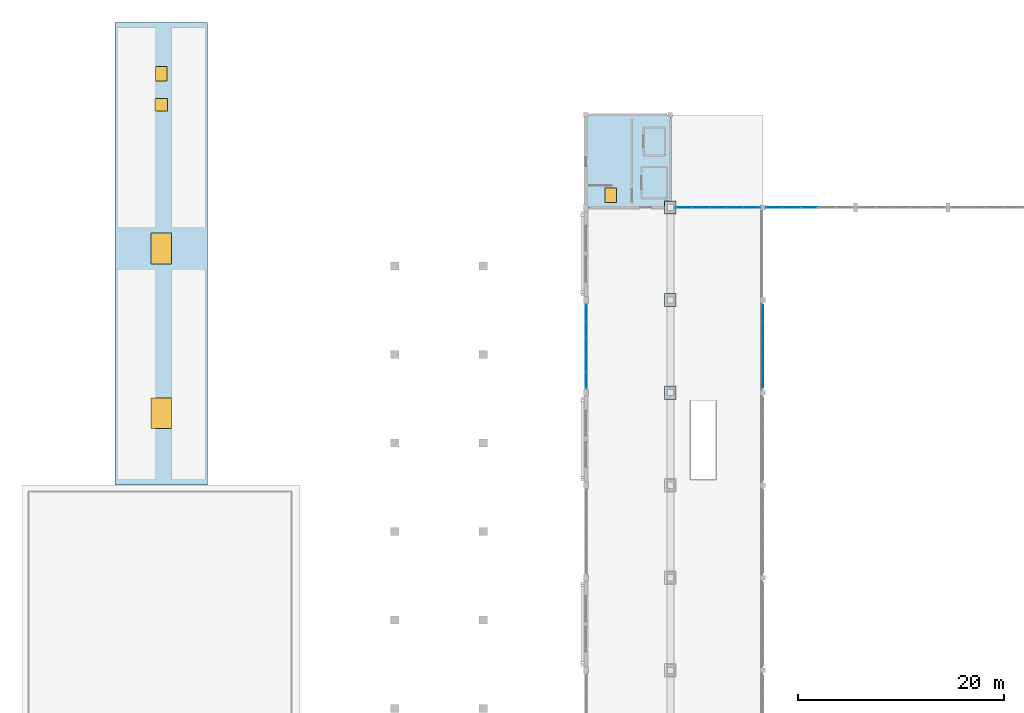
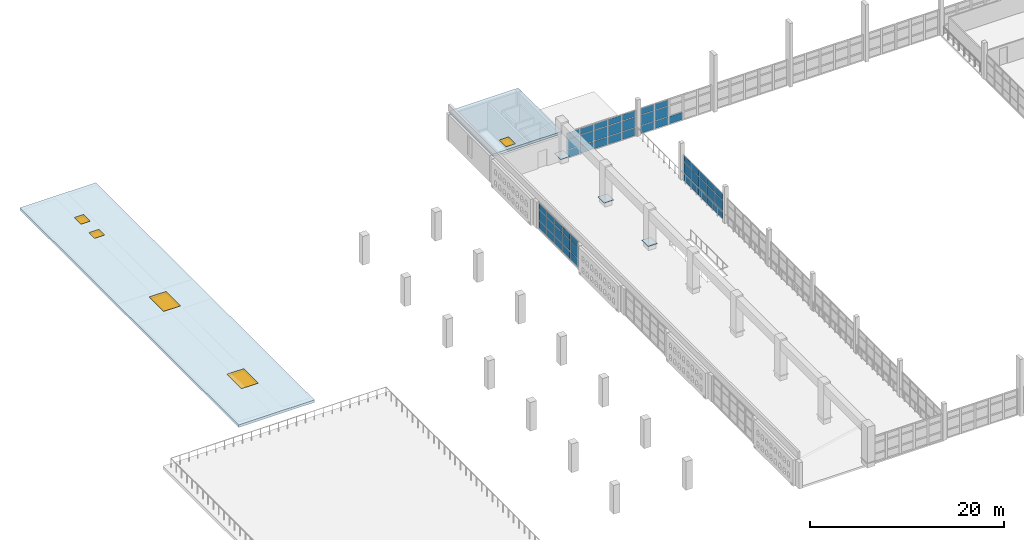
# One storey, part 60 of 80: 55 plates, 3 windows, 2 doors, 2 slabs, 5 openings, 4 elements without a shape of their own.
"""IFC4 building model written with IfcOpenShell, lengths in metres."""

from ifc_helpers import new_model, si_unit, direction, frame, origin, origin_2d, place, context, subcontext, project, spatial, polyline, rectangle, outline, extrude, material, layer, layer_set, type_object, element, fill, aggregate, save


model = new_model("IFC4")

# Units and contexts
model_context = context("Model", 3, precision=1e-05, world=origin(), true_north=direction((0.0, 1.0)))
body_context = subcontext(model_context, "Body", "Model", "MODEL_VIEW")
ifc_project = project(units=[si_unit("LENGTHUNIT", "METRE"), si_unit("AREAUNIT", "SQUARE_METRE"), si_unit("VOLUMEUNIT", "CUBIC_METRE"), si_unit("PLANEANGLEUNIT", "RADIAN"), si_unit("MASSUNIT", "GRAM", prefix="KILO")], contexts=[model_context])

# Site, building, storey
site_placement = place(None, origin())
site = spatial("IfcSite", under=ifc_project, at=site_placement, CompositionType="ELEMENT")
building_placement = place(site_placement, origin())
building = spatial("IfcBuilding", under=site, at=building_placement, Name="Ornek Quay Market", CompositionType="ELEMENT")
storey_placement = place(building_placement, frame((0.0, 0.0, 8.39990234375)))
storey = spatial("IfcBuildingStorey", under=building, at=storey_placement, Name="L02", CompositionType="ELEMENT", Elevation=8.39990234375)

# Plates
ifc_material_1 = material(Name="Steel S355", Category="steel")
ifc_layer_1 = layer(ifc_material_1, 1.300048828125, Name="Steel S355", Category="steel")
ifc_layer_set_1 = layer_set([ifc_layer_1], Name="Steel S355")
plate_type_1 = type_object("IfcPlateType", Name="PL-ARCH-SHOE-1100x1300x50", PredefinedType="SHEET", material=ifc_layer_set_1)
for number, where, z_axis, x_axis, name in (
    (1, (63.0, 74.0, 0.60009765625), (0.0, 0.0, 1.0), (1.0, 0.0, 0.0), "Arch bearing plate Grid J-W"),
    (2, (63.0, 83.0, 0.60009765625), (0.0, 0.0, 1.0), (1.0, 0.0, 0.0), "Arch bearing plate Grid K-W"),
    (3, (63.0, 92.0, 0.60009765625), (0.0, 0.0, 1.0), (1.0, 0.0, 0.0), "Arch bearing plate Grid L-W"),
):
    element("IfcPlate", number, at=place(storey_placement, frame(where, z_axis=z_axis, x_axis=x_axis)), inside=storey, type_object=plate_type_1, Name=name, PredefinedType="SHEET", context=body_context, shape_type="SweptSolid", body=[
        extrude(rectangle(XDim=1.10009765625, YDim=1.300048828125, at=origin_2d()), origin(), (0.0, 0.0, 1.0), 0.050048828125),
    ])

# Curtain wall, plates
ifc_material_2 = material(Name="Anodised bronze aluminium and triple low-e glass", Category="aluminium")
ifc_layer_2 = layer(ifc_material_2, 0.139892578125, Name="Anodised bronze aluminium and triple low-e glass", Category="aluminium")
ifc_layer_set_2 = layer_set([ifc_layer_2], Name="Anodised bronze aluminium and triple low-e glass")
curtain_wall_type_1 = type_object("IfcCurtainWallType", Name="CW-GALLERY-INT", PredefinedType="USERDEFINED", material=ifc_layer_set_2)
curtain_wall_1_placement = place(storey_placement, origin())
curtain_wall_1 = element("IfcCurtainWall", 4, at=curtain_wall_1_placement, inside=storey, type_object=curtain_wall_type_1, Name="Curtain wall CW-114", ObjectType="CURTAIN WALL", PredefinedType="USERDEFINED")
ifc_material_3 = material(Name="Toughened laminated acoustic glass", Category="glass")
ifc_layer_3 = layer(ifc_material_3, 0.01611328125, Name="Toughened laminated acoustic glass", Category="glass")
ifc_layer_set_3 = layer_set([ifc_layer_3], Name="Toughened laminated acoustic glass")
plate_type_2 = type_object("IfcPlateType", Name="PL-CW-INT-16", PredefinedType="CURTAIN_PANEL", material=ifc_layer_set_3)
plate_1_placement = place(storey_placement, frame((72.0, 75.27490234375, 0.06005859375), z_axis=(0.0, 0.0, 1.0), x_axis=(0.0, 1.0, 0.0)))
plate_1 = element("IfcPlate", 5, at=plate_1_placement, type_object=plate_type_2, Name="CW-114 panel 1.1", PredefinedType="CURTAIN_PANEL", context=body_context, shape_type="SweptSolid", body=[
    extrude(rectangle(XDim=1.530029296875, YDim=0.01611328125, at=origin_2d()), origin(), (0.0, 0.0, 1.0), 0.9599609375),
])
plate_2_placement = place(storey_placement, frame((72.0, 75.27490234375, 1.080078125), z_axis=(0.0, 0.0, 1.0), x_axis=(0.0, 1.0, 0.0)))
plate_2 = element("IfcPlate", 6, at=plate_2_placement, type_object=plate_type_2, Name="CW-114 panel 1.2", PredefinedType="CURTAIN_PANEL", context=body_context, shape_type="SweptSolid", body=[
    extrude(rectangle(XDim=1.530029296875, YDim=0.01611328125, at=origin_2d()), origin(), (0.0, 0.0, 1.0), 1.2900390625),
])
plate_3_placement = place(storey_placement, frame((72.0, 75.27490234375, 2.43017578125), z_axis=(0.0, 0.0, 1.0), x_axis=(0.0, 1.0, 0.0)))
plate_3 = element("IfcPlate", 7, at=plate_3_placement, type_object=plate_type_2, Name="CW-114 panel 1.3", PredefinedType="CURTAIN_PANEL", context=body_context, shape_type="SweptSolid", body=[
    extrude(rectangle(XDim=1.530029296875, YDim=0.01611328125, at=origin_2d()), origin(), (0.0, 0.0, 1.0), 0.760009765625),
])
plate_4_placement = place(storey_placement, frame((72.0, 76.8798828125, 0.06005859375), z_axis=(0.0, 0.0, 1.0), x_axis=(0.0, 1.0, 0.0)))
plate_4 = element("IfcPlate", 8, at=plate_4_placement, type_object=plate_type_2, Name="CW-114 panel 2.1", PredefinedType="CURTAIN_PANEL", context=body_context, shape_type="SweptSolid", body=[
    extrude(rectangle(XDim=1.56005859375, YDim=0.01611328125, at=origin_2d()), origin(), (0.0, 0.0, 1.0), 0.9599609375),
])
plate_5_placement = place(storey_placement, frame((72.0, 76.8798828125, 1.080078125), z_axis=(0.0, 0.0, 1.0), x_axis=(0.0, 1.0, 0.0)))
plate_5 = element("IfcPlate", 9, at=plate_5_placement, type_object=plate_type_2, Name="CW-114 panel 2.2", PredefinedType="CURTAIN_PANEL", context=body_context, shape_type="SweptSolid", body=[
    extrude(rectangle(XDim=1.56005859375, YDim=0.01611328125, at=origin_2d()), origin(), (0.0, 0.0, 1.0), 1.2900390625),
])
plate_6_placement = place(storey_placement, frame((72.0, 76.8798828125, 2.43017578125), z_axis=(0.0, 0.0, 1.0), x_axis=(0.0, 1.0, 0.0)))
plate_6 = element("IfcPlate", 10, at=plate_6_placement, type_object=plate_type_2, Name="CW-114 panel 2.3", PredefinedType="CURTAIN_PANEL", context=body_context, shape_type="SweptSolid", body=[
    extrude(rectangle(XDim=1.56005859375, YDim=0.01611328125, at=origin_2d()), origin(), (0.0, 0.0, 1.0), 0.760009765625),
])
plate_7_placement = place(storey_placement, frame((72.0, 78.5, 0.06005859375), z_axis=(0.0, 0.0, 1.0), x_axis=(0.0, 1.0, 0.0)))
plate_7 = element("IfcPlate", 11, at=plate_7_placement, type_object=plate_type_2, Name="CW-114 panel 3.1", PredefinedType="CURTAIN_PANEL", context=body_context, shape_type="SweptSolid", body=[
    extrude(rectangle(XDim=1.56005859375, YDim=0.01611328125, at=origin_2d()), origin(), (0.0, 0.0, 1.0), 0.9599609375),
])
plate_8_placement = place(storey_placement, frame((72.0, 78.5, 1.080078125), z_axis=(0.0, 0.0, 1.0), x_axis=(0.0, 1.0, 0.0)))
plate_8 = element("IfcPlate", 12, at=plate_8_placement, type_object=plate_type_2, Name="CW-114 panel 3.2", PredefinedType="CURTAIN_PANEL", context=body_context, shape_type="SweptSolid", body=[
    extrude(rectangle(XDim=1.56005859375, YDim=0.01611328125, at=origin_2d()), origin(), (0.0, 0.0, 1.0), 1.2900390625),
])
plate_9_placement = place(storey_placement, frame((72.0, 78.5, 2.43017578125), z_axis=(0.0, 0.0, 1.0), x_axis=(0.0, 1.0, 0.0)))
plate_9 = element("IfcPlate", 13, at=plate_9_placement, type_object=plate_type_2, Name="CW-114 panel 3.3", PredefinedType="CURTAIN_PANEL", context=body_context, shape_type="SweptSolid", body=[
    extrude(rectangle(XDim=1.56005859375, YDim=0.01611328125, at=origin_2d()), origin(), (0.0, 0.0, 1.0), 0.760009765625),
])
plate_10_placement = place(storey_placement, frame((72.0, 80.1201171875, 0.06005859375), z_axis=(0.0, 0.0, 1.0), x_axis=(0.0, 1.0, 0.0)))
plate_10 = element("IfcPlate", 14, at=plate_10_placement, type_object=plate_type_2, Name="CW-114 panel 4.1", PredefinedType="CURTAIN_PANEL", context=body_context, shape_type="SweptSolid", body=[
    extrude(rectangle(XDim=1.56005859375, YDim=0.01611328125, at=origin_2d()), origin(), (0.0, 0.0, 1.0), 0.9599609375),
])
plate_11_placement = place(storey_placement, frame((72.0, 80.1201171875, 1.080078125), z_axis=(0.0, 0.0, 1.0), x_axis=(0.0, 1.0, 0.0)))
plate_11 = element("IfcPlate", 15, at=plate_11_placement, type_object=plate_type_2, Name="CW-114 panel 4.2", PredefinedType="CURTAIN_PANEL", context=body_context, shape_type="SweptSolid", body=[
    extrude(rectangle(XDim=1.56005859375, YDim=0.01611328125, at=origin_2d()), origin(), (0.0, 0.0, 1.0), 1.2900390625),
])
plate_12_placement = place(storey_placement, frame((72.0, 80.1201171875, 2.43017578125), z_axis=(0.0, 0.0, 1.0), x_axis=(0.0, 1.0, 0.0)))
plate_12 = element("IfcPlate", 16, at=plate_12_placement, type_object=plate_type_2, Name="CW-114 panel 4.3", PredefinedType="CURTAIN_PANEL", context=body_context, shape_type="SweptSolid", body=[
    extrude(rectangle(XDim=1.56005859375, YDim=0.01611328125, at=origin_2d()), origin(), (0.0, 0.0, 1.0), 0.760009765625),
])
plate_13_placement = place(storey_placement, frame((72.0, 81.72509765625, 0.06005859375), z_axis=(0.0, 0.0, 1.0), x_axis=(0.0, 1.0, 0.0)))
plate_13 = element("IfcPlate", 17, at=plate_13_placement, type_object=plate_type_2, Name="CW-114 panel 5.1", PredefinedType="CURTAIN_PANEL", context=body_context, shape_type="SweptSolid", body=[
    extrude(rectangle(XDim=1.530029296875, YDim=0.01611328125, at=origin_2d()), origin(), (0.0, 0.0, 1.0), 0.9599609375),
])
plate_14_placement = place(storey_placement, frame((72.0, 81.72509765625, 1.080078125), z_axis=(0.0, 0.0, 1.0), x_axis=(0.0, 1.0, 0.0)))
plate_14 = element("IfcPlate", 18, at=plate_14_placement, type_object=plate_type_2, Name="CW-114 panel 5.2", PredefinedType="CURTAIN_PANEL", context=body_context, shape_type="SweptSolid", body=[
    extrude(rectangle(XDim=1.530029296875, YDim=0.01611328125, at=origin_2d()), origin(), (0.0, 0.0, 1.0), 1.2900390625),
])
plate_15_placement = place(storey_placement, frame((72.0, 81.72509765625, 2.43017578125), z_axis=(0.0, 0.0, 1.0), x_axis=(0.0, 1.0, 0.0)))
plate_15 = element("IfcPlate", 19, at=plate_15_placement, type_object=plate_type_2, Name="CW-114 panel 5.3", PredefinedType="CURTAIN_PANEL", context=body_context, shape_type="SweptSolid", body=[
    extrude(rectangle(XDim=1.530029296875, YDim=0.01611328125, at=origin_2d()), origin(), (0.0, 0.0, 1.0), 0.760009765625),
])
aggregate(curtain_wall_1, [plate_1, plate_2, plate_3, plate_4, plate_5, plate_6, plate_7, plate_8, plate_9, plate_10, plate_11, plate_12, plate_13, plate_14, plate_15])

ifc_layer_4 = layer(ifc_material_2, 0.239990234375, Name="Anodised bronze aluminium and triple low-e glass", Category="aluminium")
ifc_layer_set_4 = layer_set([ifc_layer_4], Name="Anodised bronze aluminium and triple low-e glass")
curtain_wall_type_2 = type_object("IfcCurtainWallType", Name="CW-GAB-MOD1800", PredefinedType="USERDEFINED", material=ifc_layer_set_4)
curtain_wall_2_placement = place(storey_placement, origin())
curtain_wall_2 = element("IfcCurtainWall", 20, at=curtain_wall_2_placement, inside=storey, type_object=curtain_wall_type_2, Name="Curtain wall CW-059", ObjectType="CURTAIN WALL", PredefinedType="USERDEFINED")
ifc_material_4 = material(Name="Triple insulated low-e glass", Category="glass")
ifc_layer_5 = layer(ifc_material_4, 0.0419921875, Name="Triple insulated low-e glass", Category="glass")
ifc_layer_set_5 = layer_set([ifc_layer_5], Name="Triple insulated low-e glass")
plate_type_3 = type_object("IfcPlateType", Name="PL-CW-TRIPLE-42", PredefinedType="CURTAIN_PANEL", material=ifc_layer_set_5)
plate_16_placement = place(storey_placement, frame((54.800048828125, 75.237548828125, 0.06982421875), z_axis=(0.0, 0.0, 1.0), x_axis=(0.0, 1.0, 0.0)))
plate_16 = element("IfcPlate", 21, at=plate_16_placement, type_object=plate_type_3, Name="CW-059 panel 1.1", PredefinedType="CURTAIN_PANEL", context=body_context, shape_type="SweptSolid", body=[
    extrude(rectangle(XDim=1.534912109375, YDim=0.0419921875, at=origin_2d()), origin(), (0.0, 0.0, 1.0), 0.945068359375),
])
plate_17_placement = place(storey_placement, frame((54.800048828125, 75.237548828125, 1.0849609375), z_axis=(0.0, 0.0, 1.0), x_axis=(0.0, 1.0, 0.0)))
plate_17 = element("IfcPlate", 22, at=plate_17_placement, type_object=plate_type_3, Name="CW-059 panel 1.2", PredefinedType="CURTAIN_PANEL", context=body_context, shape_type="SweptSolid", body=[
    extrude(rectangle(XDim=1.534912109375, YDim=0.0419921875, at=origin_2d()), origin(), (0.0, 0.0, 1.0), 1.320068359375),
])
plate_18_placement = place(storey_placement, frame((54.800048828125, 75.237548828125, 2.47509765625), z_axis=(0.0, 0.0, 1.0), x_axis=(0.0, 1.0, 0.0)))
plate_18 = element("IfcPlate", 23, at=plate_18_placement, type_object=plate_type_3, Name="CW-059 panel 1.3", PredefinedType="CURTAIN_PANEL", context=body_context, shape_type="SweptSolid", body=[
    extrude(rectangle(XDim=1.534912109375, YDim=0.0419921875, at=origin_2d()), origin(), (0.0, 0.0, 1.0), 0.7451171875),
])
plate_19_placement = place(storey_placement, frame((54.800048828125, 76.860107421875, 0.06982421875), z_axis=(0.0, 0.0, 1.0), x_axis=(0.0, 1.0, 0.0)))
plate_19 = element("IfcPlate", 24, at=plate_19_placement, type_object=plate_type_3, Name="CW-059 panel 2.1", PredefinedType="CURTAIN_PANEL", context=body_context, shape_type="SweptSolid", body=[
    extrude(rectangle(XDim=1.570068359375, YDim=0.0419921875, at=origin_2d()), origin(), (0.0, 0.0, 1.0), 0.945068359375),
])
plate_20_placement = place(storey_placement, frame((54.800048828125, 76.860107421875, 1.0849609375), z_axis=(0.0, 0.0, 1.0), x_axis=(0.0, 1.0, 0.0)))
plate_20 = element("IfcPlate", 25, at=plate_20_placement, type_object=plate_type_3, Name="CW-059 panel 2.2", PredefinedType="CURTAIN_PANEL", context=body_context, shape_type="SweptSolid", body=[
    extrude(rectangle(XDim=1.570068359375, YDim=0.0419921875, at=origin_2d()), origin(), (0.0, 0.0, 1.0), 1.320068359375),
])
plate_21_placement = place(storey_placement, frame((54.800048828125, 76.860107421875, 2.47509765625), z_axis=(0.0, 0.0, 1.0), x_axis=(0.0, 1.0, 0.0)))
plate_21 = element("IfcPlate", 26, at=plate_21_placement, type_object=plate_type_3, Name="CW-059 panel 2.3", PredefinedType="CURTAIN_PANEL", context=body_context, shape_type="SweptSolid", body=[
    extrude(rectangle(XDim=1.570068359375, YDim=0.0419921875, at=origin_2d()), origin(), (0.0, 0.0, 1.0), 0.7451171875),
])
plate_22_placement = place(storey_placement, frame((54.800048828125, 78.5, 0.06982421875), z_axis=(0.0, 0.0, 1.0), x_axis=(0.0, 1.0, 0.0)))
plate_22 = element("IfcPlate", 27, at=plate_22_placement, type_object=plate_type_3, Name="CW-059 panel 3.1", PredefinedType="CURTAIN_PANEL", context=body_context, shape_type="SweptSolid", body=[
    extrude(rectangle(XDim=1.570068359375, YDim=0.0419921875, at=origin_2d()), origin(), (0.0, 0.0, 1.0), 0.945068359375),
])
plate_23_placement = place(storey_placement, frame((54.800048828125, 78.5, 1.0849609375), z_axis=(0.0, 0.0, 1.0), x_axis=(0.0, 1.0, 0.0)))
plate_23 = element("IfcPlate", 28, at=plate_23_placement, type_object=plate_type_3, Name="CW-059 panel 3.2", PredefinedType="CURTAIN_PANEL", context=body_context, shape_type="SweptSolid", body=[
    extrude(rectangle(XDim=1.570068359375, YDim=0.0419921875, at=origin_2d()), origin(), (0.0, 0.0, 1.0), 1.320068359375),
])
plate_24_placement = place(storey_placement, frame((54.800048828125, 78.5, 2.47509765625), z_axis=(0.0, 0.0, 1.0), x_axis=(0.0, 1.0, 0.0)))
plate_24 = element("IfcPlate", 29, at=plate_24_placement, type_object=plate_type_3, Name="CW-059 panel 3.3", PredefinedType="CURTAIN_PANEL", context=body_context, shape_type="SweptSolid", body=[
    extrude(rectangle(XDim=1.570068359375, YDim=0.0419921875, at=origin_2d()), origin(), (0.0, 0.0, 1.0), 0.7451171875),
])
plate_25_placement = place(storey_placement, frame((54.800048828125, 80.139892578125, 0.06982421875), z_axis=(0.0, 0.0, 1.0), x_axis=(0.0, 1.0, 0.0)))
plate_25 = element("IfcPlate", 30, at=plate_25_placement, type_object=plate_type_3, Name="CW-059 panel 4.1", PredefinedType="CURTAIN_PANEL", context=body_context, shape_type="SweptSolid", body=[
    extrude(rectangle(XDim=1.570068359375, YDim=0.0419921875, at=origin_2d()), origin(), (0.0, 0.0, 1.0), 0.945068359375),
])
plate_26_placement = place(storey_placement, frame((54.800048828125, 80.139892578125, 1.0849609375), z_axis=(0.0, 0.0, 1.0), x_axis=(0.0, 1.0, 0.0)))
plate_26 = element("IfcPlate", 31, at=plate_26_placement, type_object=plate_type_3, Name="CW-059 panel 4.2", PredefinedType="CURTAIN_PANEL", context=body_context, shape_type="SweptSolid", body=[
    extrude(rectangle(XDim=1.570068359375, YDim=0.0419921875, at=origin_2d()), origin(), (0.0, 0.0, 1.0), 1.320068359375),
])
plate_27_placement = place(storey_placement, frame((54.800048828125, 80.139892578125, 2.47509765625), z_axis=(0.0, 0.0, 1.0), x_axis=(0.0, 1.0, 0.0)))
plate_27 = element("IfcPlate", 32, at=plate_27_placement, type_object=plate_type_3, Name="CW-059 panel 4.3", PredefinedType="CURTAIN_PANEL", context=body_context, shape_type="SweptSolid", body=[
    extrude(rectangle(XDim=1.570068359375, YDim=0.0419921875, at=origin_2d()), origin(), (0.0, 0.0, 1.0), 0.7451171875),
])
plate_28_placement = place(storey_placement, frame((54.800048828125, 81.762451171875, 0.06982421875), z_axis=(0.0, 0.0, 1.0), x_axis=(0.0, 1.0, 0.0)))
plate_28 = element("IfcPlate", 33, at=plate_28_placement, type_object=plate_type_3, Name="CW-059 panel 5.1", PredefinedType="CURTAIN_PANEL", context=body_context, shape_type="SweptSolid", body=[
    extrude(rectangle(XDim=1.534912109375, YDim=0.0419921875, at=origin_2d()), origin(), (0.0, 0.0, 1.0), 0.945068359375),
])
plate_29_placement = place(storey_placement, frame((54.800048828125, 81.762451171875, 1.0849609375), z_axis=(0.0, 0.0, 1.0), x_axis=(0.0, 1.0, 0.0)))
plate_29 = element("IfcPlate", 34, at=plate_29_placement, type_object=plate_type_3, Name="CW-059 panel 5.2", PredefinedType="CURTAIN_PANEL", context=body_context, shape_type="SweptSolid", body=[
    extrude(rectangle(XDim=1.534912109375, YDim=0.0419921875, at=origin_2d()), origin(), (0.0, 0.0, 1.0), 1.320068359375),
])
plate_30_placement = place(storey_placement, frame((54.800048828125, 81.762451171875, 2.47509765625), z_axis=(0.0, 0.0, 1.0), x_axis=(0.0, 1.0, 0.0)))
plate_30 = element("IfcPlate", 35, at=plate_30_placement, type_object=plate_type_3, Name="CW-059 panel 5.3", PredefinedType="CURTAIN_PANEL", context=body_context, shape_type="SweptSolid", body=[
    extrude(rectangle(XDim=1.534912109375, YDim=0.0419921875, at=origin_2d()), origin(), (0.0, 0.0, 1.0), 0.7451171875),
])
aggregate(curtain_wall_2, [plate_16, plate_17, plate_18, plate_19, plate_20, plate_21, plate_22, plate_23, plate_24, plate_25, plate_26, plate_27, plate_28, plate_29, plate_30])

curtain_wall_3_placement = place(storey_placement, origin())
curtain_wall_3 = element("IfcCurtainWall", 36, at=curtain_wall_3_placement, inside=storey, type_object=curtain_wall_type_2, Name="Curtain wall CW-064", ObjectType="CURTAIN WALL", PredefinedType="USERDEFINED")
plate_31_placement = place(storey_placement, frame((64.31103515625, 92.0, 0.0751953125), z_axis=(0.0, 0.0, 1.0), x_axis=(1.0, 0.0, 0.0)))
plate_31 = element("IfcPlate", 37, at=plate_31_placement, type_object=plate_type_3, Name="CW-064 panel 1.1", PredefinedType="CURTAIN_PANEL", context=body_context, shape_type="SweptSolid", body=[
    extrude(rectangle(XDim=1.5419921875, YDim=0.0419921875, at=origin_2d()), origin(), (0.0, 0.0, 1.0), 0.9375),
])
plate_32_placement = place(storey_placement, frame((64.31103515625, 92.0, 1.087646484375), z_axis=(0.0, 0.0, 1.0), x_axis=(1.0, 0.0, 0.0)))
plate_32 = element("IfcPlate", 38, at=plate_32_placement, type_object=plate_type_3, Name="CW-064 panel 1.2", PredefinedType="CURTAIN_PANEL", context=body_context, shape_type="SweptSolid", body=[
    extrude(rectangle(XDim=1.5419921875, YDim=0.0419921875, at=origin_2d()), origin(), (0.0, 0.0, 1.0), 1.27490234375),
])
plate_33_placement = place(storey_placement, frame((64.31103515625, 92.0, 2.4375), z_axis=(0.0, 0.0, 1.0), x_axis=(1.0, 0.0, 0.0)))
plate_33 = element("IfcPlate", 39, at=plate_33_placement, type_object=plate_type_3, Name="CW-064 panel 1.3", PredefinedType="CURTAIN_PANEL", context=body_context, shape_type="SweptSolid", body=[
    extrude(rectangle(XDim=1.5419921875, YDim=0.0419921875, at=origin_2d()), origin(), (0.0, 0.0, 1.0), 0.737548828125),
])
plate_34_placement = place(storey_placement, frame((65.952880859375, 92.0, 0.0751953125), z_axis=(0.0, 0.0, 1.0), x_axis=(1.0, 0.0, 0.0)))
plate_34 = element("IfcPlate", 40, at=plate_34_placement, type_object=plate_type_3, Name="CW-064 panel 2.1", PredefinedType="CURTAIN_PANEL", context=body_context, shape_type="SweptSolid", body=[
    extrude(rectangle(XDim=1.58203125, YDim=0.0419921875, at=origin_2d()), origin(), (0.0, 0.0, 1.0), 0.9375),
])
plate_35_placement = place(storey_placement, frame((65.952880859375, 92.0, 1.087646484375), z_axis=(0.0, 0.0, 1.0), x_axis=(1.0, 0.0, 0.0)))
plate_35 = element("IfcPlate", 41, at=plate_35_placement, type_object=plate_type_3, Name="CW-064 panel 2.2", PredefinedType="CURTAIN_PANEL", context=body_context, shape_type="SweptSolid", body=[
    extrude(rectangle(XDim=1.58203125, YDim=0.0419921875, at=origin_2d()), origin(), (0.0, 0.0, 1.0), 1.27490234375),
])
plate_36_placement = place(storey_placement, frame((65.952880859375, 92.0, 2.4375), z_axis=(0.0, 0.0, 1.0), x_axis=(1.0, 0.0, 0.0)))
plate_36 = element("IfcPlate", 42, at=plate_36_placement, type_object=plate_type_3, Name="CW-064 panel 2.3", PredefinedType="CURTAIN_PANEL", context=body_context, shape_type="SweptSolid", body=[
    extrude(rectangle(XDim=1.58203125, YDim=0.0419921875, at=origin_2d()), origin(), (0.0, 0.0, 1.0), 0.737548828125),
])
plate_37_placement = place(storey_placement, frame((67.614990234375, 92.0, 0.0751953125), z_axis=(0.0, 0.0, 1.0), x_axis=(1.0, 0.0, 0.0)))
plate_37 = element("IfcPlate", 43, at=plate_37_placement, type_object=plate_type_3, Name="CW-064 panel 3.1", PredefinedType="CURTAIN_PANEL", context=body_context, shape_type="SweptSolid", body=[
    extrude(rectangle(XDim=1.58203125, YDim=0.0419921875, at=origin_2d()), origin(), (0.0, 0.0, 1.0), 0.9375),
])
plate_38_placement = place(storey_placement, frame((67.614990234375, 92.0, 1.087646484375), z_axis=(0.0, 0.0, 1.0), x_axis=(1.0, 0.0, 0.0)))
plate_38 = element("IfcPlate", 44, at=plate_38_placement, type_object=plate_type_3, Name="CW-064 panel 3.2", PredefinedType="CURTAIN_PANEL", context=body_context, shape_type="SweptSolid", body=[
    extrude(rectangle(XDim=1.58203125, YDim=0.0419921875, at=origin_2d()), origin(), (0.0, 0.0, 1.0), 1.27490234375),
])
plate_39_placement = place(storey_placement, frame((67.614990234375, 92.0, 2.4375), z_axis=(0.0, 0.0, 1.0), x_axis=(1.0, 0.0, 0.0)))
plate_39 = element("IfcPlate", 45, at=plate_39_placement, type_object=plate_type_3, Name="CW-064 panel 3.3", PredefinedType="CURTAIN_PANEL", context=body_context, shape_type="SweptSolid", body=[
    extrude(rectangle(XDim=1.58203125, YDim=0.0419921875, at=origin_2d()), origin(), (0.0, 0.0, 1.0), 0.737548828125),
])
plate_40_placement = place(storey_placement, frame((69.277099609375, 92.0, 0.0751953125), z_axis=(0.0, 0.0, 1.0), x_axis=(1.0, 0.0, 0.0)))
plate_40 = element("IfcPlate", 46, at=plate_40_placement, type_object=plate_type_3, Name="CW-064 panel 4.1", PredefinedType="CURTAIN_PANEL", context=body_context, shape_type="SweptSolid", body=[
    extrude(rectangle(XDim=1.58203125, YDim=0.0419921875, at=origin_2d()), origin(), (0.0, 0.0, 1.0), 0.9375),
])
plate_41_placement = place(storey_placement, frame((69.277099609375, 92.0, 1.087646484375), z_axis=(0.0, 0.0, 1.0), x_axis=(1.0, 0.0, 0.0)))
plate_41 = element("IfcPlate", 47, at=plate_41_placement, type_object=plate_type_3, Name="CW-064 panel 4.2", PredefinedType="CURTAIN_PANEL", context=body_context, shape_type="SweptSolid", body=[
    extrude(rectangle(XDim=1.58203125, YDim=0.0419921875, at=origin_2d()), origin(), (0.0, 0.0, 1.0), 1.27490234375),
])
plate_42_placement = place(storey_placement, frame((69.277099609375, 92.0, 2.4375), z_axis=(0.0, 0.0, 1.0), x_axis=(1.0, 0.0, 0.0)))
plate_42 = element("IfcPlate", 48, at=plate_42_placement, type_object=plate_type_3, Name="CW-064 panel 4.3", PredefinedType="CURTAIN_PANEL", context=body_context, shape_type="SweptSolid", body=[
    extrude(rectangle(XDim=1.58203125, YDim=0.0419921875, at=origin_2d()), origin(), (0.0, 0.0, 1.0), 0.737548828125),
])
plate_43_placement = place(storey_placement, frame((70.9189453125, 92.0, 0.0751953125), z_axis=(0.0, 0.0, 1.0), x_axis=(1.0, 0.0, 0.0)))
plate_43 = element("IfcPlate", 49, at=plate_43_placement, type_object=plate_type_3, Name="CW-064 panel 5.1", PredefinedType="CURTAIN_PANEL", context=body_context, shape_type="SweptSolid", body=[
    extrude(rectangle(XDim=1.5419921875, YDim=0.0419921875, at=origin_2d()), origin(), (0.0, 0.0, 1.0), 0.9375),
])
plate_44_placement = place(storey_placement, frame((70.9189453125, 92.0, 1.087646484375), z_axis=(0.0, 0.0, 1.0), x_axis=(1.0, 0.0, 0.0)))
plate_44 = element("IfcPlate", 50, at=plate_44_placement, type_object=plate_type_3, Name="CW-064 panel 5.2", PredefinedType="CURTAIN_PANEL", context=body_context, shape_type="SweptSolid", body=[
    extrude(rectangle(XDim=1.5419921875, YDim=0.0419921875, at=origin_2d()), origin(), (0.0, 0.0, 1.0), 1.27490234375),
])
plate_45_placement = place(storey_placement, frame((70.9189453125, 92.0, 2.4375), z_axis=(0.0, 0.0, 1.0), x_axis=(1.0, 0.0, 0.0)))
plate_45 = element("IfcPlate", 51, at=plate_45_placement, type_object=plate_type_3, Name="CW-064 panel 5.3", PredefinedType="CURTAIN_PANEL", context=body_context, shape_type="SweptSolid", body=[
    extrude(rectangle(XDim=1.5419921875, YDim=0.0419921875, at=origin_2d()), origin(), (0.0, 0.0, 1.0), 0.737548828125),
])
aggregate(curtain_wall_3, [plate_31, plate_32, plate_33, plate_34, plate_35, plate_36, plate_37, plate_38, plate_39, plate_40, plate_41, plate_42, plate_43, plate_44, plate_45])

curtain_wall_4_placement = place(storey_placement, origin())
curtain_wall_4 = element("IfcCurtainWall", 52, at=curtain_wall_4_placement, inside=storey, type_object=curtain_wall_type_2, Name="Curtain wall CW-067", ObjectType="CURTAIN WALL", PredefinedType="USERDEFINED")
plate_46_placement = place(storey_placement, frame((73.10595703125, 92.0, 0.0751953125), z_axis=(0.0, 0.0, 1.0), x_axis=(1.0, 0.0, 0.0)))
plate_46 = element("IfcPlate", 53, at=plate_46_placement, type_object=plate_type_3, Name="CW-067 panel 1.1", PredefinedType="CURTAIN_PANEL", context=body_context, shape_type="SweptSolid", body=[
    extrude(rectangle(XDim=1.592041015625, YDim=0.0419921875, at=origin_2d()), origin(), (0.0, 0.0, 1.0), 0.9375),
])
plate_47_placement = place(storey_placement, frame((73.10595703125, 92.0, 1.087646484375), z_axis=(0.0, 0.0, 1.0), x_axis=(1.0, 0.0, 0.0)))
plate_47 = element("IfcPlate", 54, at=plate_47_placement, type_object=plate_type_3, Name="CW-067 panel 1.2", PredefinedType="CURTAIN_PANEL", context=body_context, shape_type="SweptSolid", body=[
    extrude(rectangle(XDim=1.592041015625, YDim=0.0419921875, at=origin_2d()), origin(), (0.0, 0.0, 1.0), 1.27490234375),
])
plate_48_placement = place(storey_placement, frame((73.10595703125, 92.0, 2.4375), z_axis=(0.0, 0.0, 1.0), x_axis=(1.0, 0.0, 0.0)))
plate_48 = element("IfcPlate", 55, at=plate_48_placement, type_object=plate_type_3, Name="CW-067 panel 1.3", PredefinedType="CURTAIN_PANEL", context=body_context, shape_type="SweptSolid", body=[
    extrude(rectangle(XDim=1.592041015625, YDim=0.0419921875, at=origin_2d()), origin(), (0.0, 0.0, 1.0), 0.737548828125),
])
plate_49_placement = place(storey_placement, frame((74.798095703125, 92.0, 0.0751953125), z_axis=(0.0, 0.0, 1.0), x_axis=(1.0, 0.0, 0.0)))
plate_49 = element("IfcPlate", 56, at=plate_49_placement, type_object=plate_type_3, Name="CW-067 panel 2.1", PredefinedType="CURTAIN_PANEL", context=body_context, shape_type="SweptSolid", body=[
    extrude(rectangle(XDim=1.632080078125, YDim=0.0419921875, at=origin_2d()), origin(), (0.0, 0.0, 1.0), 0.9375),
])
plate_50_placement = place(storey_placement, frame((74.798095703125, 92.0, 1.087646484375), z_axis=(0.0, 0.0, 1.0), x_axis=(1.0, 0.0, 0.0)))
plate_50 = element("IfcPlate", 57, at=plate_50_placement, type_object=plate_type_3, Name="CW-067 panel 2.2", PredefinedType="CURTAIN_PANEL", context=body_context, shape_type="SweptSolid", body=[
    extrude(rectangle(XDim=1.632080078125, YDim=0.0419921875, at=origin_2d()), origin(), (0.0, 0.0, 1.0), 1.27490234375),
])
plate_51_placement = place(storey_placement, frame((74.798095703125, 92.0, 2.4375), z_axis=(0.0, 0.0, 1.0), x_axis=(1.0, 0.0, 0.0)))
plate_51 = element("IfcPlate", 58, at=plate_51_placement, type_object=plate_type_3, Name="CW-067 panel 2.3", PredefinedType="CURTAIN_PANEL", context=body_context, shape_type="SweptSolid", body=[
    extrude(rectangle(XDim=1.632080078125, YDim=0.0419921875, at=origin_2d()), origin(), (0.0, 0.0, 1.0), 0.737548828125),
])
plate_52_placement = place(storey_placement, frame((76.510009765625, 92.0, 0.0751953125), z_axis=(0.0, 0.0, 1.0), x_axis=(1.0, 0.0, 0.0)))
plate_52 = element("IfcPlate", 59, at=plate_52_placement, type_object=plate_type_3, Name="CW-067 panel 3.1", PredefinedType="CURTAIN_PANEL", context=body_context, shape_type="SweptSolid", body=[
    extrude(rectangle(XDim=1.632080078125, YDim=0.0419921875, at=origin_2d()), origin(), (0.0, 0.0, 1.0), 0.9375),
])
aggregate(curtain_wall_4, [plate_46, plate_47, plate_48, plate_49, plate_50, plate_51, plate_52])

# Slab, openings, door, windows
ifc_material_5 = material(Name="Concrete C35/45", Category="concrete")
ifc_layer_6 = layer(ifc_material_5, 0.31005859375, Name="Concrete C35/45", Category="concrete")
ifc_layer_set_6 = layer_set([ifc_layer_6], Name="Concrete C35/45")
slab_type = type_object("IfcSlabType", Name="SL-RF-WING-310", PredefinedType="ROOF", material=ifc_layer_set_6)
slab_1_placement = place(storey_placement, frame((0.0, 0.0, 1.690185546875)))
slab_1 = element("IfcSlab", 60, at=slab_1_placement, inside=storey, type_object=slab_type, Name="Slab S-042 (L02)", PredefinedType="ROOF", context=body_context, shape_type="SweptSolid", body=[
    extrude(outline(polyline([(9.0, 65.0), (18.0, 65.0), (18.0, 110.0), (9.0, 110.0), (9.0, 65.0)]), holes=[polyline([(12.5, 70.5), (14.5, 70.5), (14.5, 73.5), (12.5, 73.5), (12.5, 70.5)]), polyline([(12.5, 86.5), (14.5, 86.5), (14.5, 89.5), (12.5, 89.5), (12.5, 86.5)]), polyline([(12.89990234375, 101.39990234375), (14.10009765625, 101.39990234375), (14.10009765625, 102.60009765625), (12.89990234375, 102.60009765625), (12.89990234375, 101.39990234375)]), polyline([(12.949951171875, 104.300048828125), (14.050048828125, 104.300048828125), (14.050048828125, 105.699951171875), (12.949951171875, 105.699951171875), (12.949951171875, 104.300048828125)])]), origin(), (0.0, 0.0, 1.0), 0.309814453125),
])
opening_1_placement = place(slab_1_placement, frame((13.5, 72.0, -0.010009765625)))
opening_1 = element("IfcOpeningElement", 61, at=opening_1_placement, cuts=slab_1, Name="Opening SK-02-07", PredefinedType="OPENING", context=body_context, shape_type="SweptSolid", body=[
    extrude(rectangle(XDim=2.0, YDim=3.0, at=origin_2d()), origin(), (0.0, 0.0, 1.0), 0.329833984375),
])
opening_2_placement = place(slab_1_placement, frame((13.5, 88.0, -0.010009765625)))
opening_2 = element("IfcOpeningElement", 62, at=opening_2_placement, cuts=slab_1, Name="Opening SK-02-08", PredefinedType="OPENING", context=body_context, shape_type="SweptSolid", body=[
    extrude(rectangle(XDim=2.0, YDim=3.0, at=origin_2d()), origin(), (0.0, 0.0, 1.0), 0.329833984375),
])
opening_3_placement = place(slab_1_placement, frame((13.5, 102.0, -0.010009765625)))
opening_3 = element("IfcOpeningElement", 63, at=opening_3_placement, cuts=slab_1, Name="Opening LDM-02-18", PredefinedType="OPENING", context=body_context, shape_type="SweptSolid", body=[
    extrude(rectangle(XDim=1.199951171875, YDim=1.199951171875, at=origin_2d()), origin(), (0.0, 0.0, 1.0), 0.329833984375),
])
opening_4_placement = place(slab_1_placement, frame((13.5, 105.0, -0.010009765625)))
opening_4 = element("IfcOpeningElement", 64, at=opening_4_placement, cuts=slab_1, Name="Opening RH-01", PredefinedType="OPENING", context=body_context, shape_type="SweptSolid", body=[
    extrude(rectangle(XDim=1.10009765625, YDim=1.39990234375, at=origin_2d()), origin(), (0.0, 0.0, 1.0), 0.329833984375),
])
ifc_material_6 = material(Name="Thermally broken aluminium roof access hatch", Category="aluminium")
door_type = type_object("IfcDoorType", Name="DR-HATCH-ROOF-1100x1400", OperationType="SINGLE_SWING_LEFT", PredefinedType="TRAPDOOR", material=ifc_material_6)
door_1_placement = place(opening_4_placement, frame((0.0, 0.0, 0.269775390625)))
door_1 = element("IfcDoor", 65, at=door_1_placement, inside=storey, type_object=door_type, Name="Roof access hatch RH-01", OperationType="SINGLE_SWING_LEFT", OverallHeight=1.39990234375, OverallWidth=1.10009765625, PredefinedType="TRAPDOOR", context=body_context, shape_type="SweptSolid", body=[
    extrude(rectangle(XDim=1.10009765625, YDim=1.39990234375, at=origin_2d()), origin(), (0.0, 0.0, 1.0), 0.050048828125),
])
fill(opening_4, door_1)
ifc_material_7 = material(Name="Thermally broken bronze aluminium and triple low-e glass", Category="aluminium")
window_type_1 = type_object("IfcWindowType", Name="WN-DOME-1200x1200", PartitioningType="SINGLE_PANEL", PredefinedType="LIGHTDOME", material=ifc_material_7)
window_1_placement = place(opening_3_placement, frame((0.0, 0.0, 0.269775390625)))
window_1 = element("IfcWindow", 66, at=window_1_placement, inside=storey, type_object=window_type_1, Name="Roof skylight LDM-02-18", OverallHeight=1.199951171875, OverallWidth=1.199951171875, PartitioningType="SINGLE_PANEL", PredefinedType="LIGHTDOME", context=body_context, shape_type="SweptSolid", body=[
    extrude(rectangle(XDim=1.199951171875, YDim=1.199951171875, at=origin_2d()), origin(), (0.0, 0.0, 1.0), 0.050048828125),
])
fill(opening_3, window_1)
window_type_2 = type_object("IfcWindowType", Name="WN-SKY-2000x3000", PartitioningType="SINGLE_PANEL", PredefinedType="SKYLIGHT", material=ifc_material_7)
window_2_placement = place(opening_1_placement, frame((0.0, 0.0, 0.269775390625)))
window_2 = element("IfcWindow", 67, at=window_2_placement, inside=storey, type_object=window_type_2, Name="Roof skylight SK-02-07", OverallHeight=3.0, OverallWidth=2.0, PartitioningType="SINGLE_PANEL", PredefinedType="SKYLIGHT", context=body_context, shape_type="SweptSolid", body=[
    extrude(rectangle(XDim=2.0, YDim=3.0, at=origin_2d()), origin(), (0.0, 0.0, 1.0), 0.050048828125),
])
fill(opening_1, window_2)
window_3_placement = place(opening_2_placement, frame((0.0, 0.0, 0.269775390625)))
window_3 = element("IfcWindow", 68, at=window_3_placement, inside=storey, type_object=window_type_2, Name="Roof skylight SK-02-08", OverallHeight=3.0, OverallWidth=2.0, PartitioningType="SINGLE_PANEL", PredefinedType="SKYLIGHT", context=body_context, shape_type="SweptSolid", body=[
    extrude(rectangle(XDim=2.0, YDim=3.0, at=origin_2d()), origin(), (0.0, 0.0, 1.0), 0.050048828125),
])
fill(opening_2, window_3)

# Slab, opening, door
slab_2_placement = place(storey_placement, frame((0.0, 0.0, 3.2900390625)))
slab_2 = element("IfcSlab", 69, at=slab_2_placement, inside=storey, type_object=slab_type, Name="Slab S-056 (L02)", PredefinedType="ROOF", context=body_context, shape_type="SweptSolid", body=[
    extrude(outline(polyline([(54.800048828125, 92.0), (63.0, 92.0), (63.0, 101.0), (54.800048828125, 101.0), (54.800048828125, 92.0)]), holes=[polyline([(56.64990234375, 92.5), (57.75, 92.5), (57.75, 93.89990234375), (56.64990234375, 93.89990234375), (56.64990234375, 92.5)])]), origin(), (0.0, 0.0, 1.0), 0.31005859375),
])
opening_5_placement = place(slab_2_placement, frame((57.199951171875, 93.199951171875, -0.010009765625)))
opening_5 = element("IfcOpeningElement", 70, at=opening_5_placement, cuts=slab_2, Name="Opening RH-03", PredefinedType="OPENING", context=body_context, shape_type="SweptSolid", body=[
    extrude(rectangle(XDim=1.10009765625, YDim=1.39990234375, at=origin_2d()), origin(), (0.0, 0.0, 1.0), 0.330078125),
])
door_2_placement = place(opening_5_placement, frame((0.0, 0.0, 0.27001953125)))
door_2 = element("IfcDoor", 71, at=door_2_placement, inside=storey, type_object=door_type, Name="Roof access hatch RH-03", OperationType="SINGLE_SWING_LEFT", OverallHeight=1.39990234375, OverallWidth=1.10009765625, PredefinedType="TRAPDOOR", context=body_context, shape_type="SweptSolid", body=[
    extrude(rectangle(XDim=1.10009765625, YDim=1.39990234375, at=origin_2d()), origin(), (0.0, 0.0, 1.0), 0.050048828125),
])
fill(opening_5, door_2)

save(model, "model.ifc")
